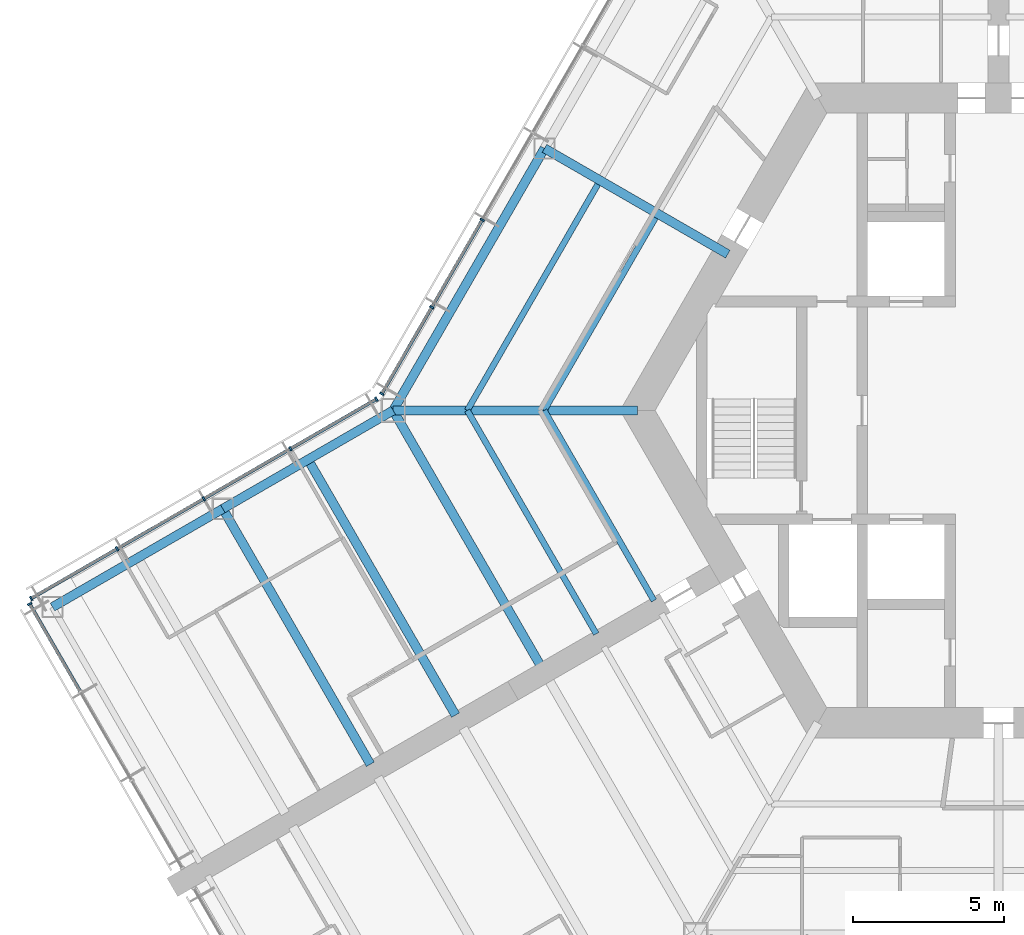
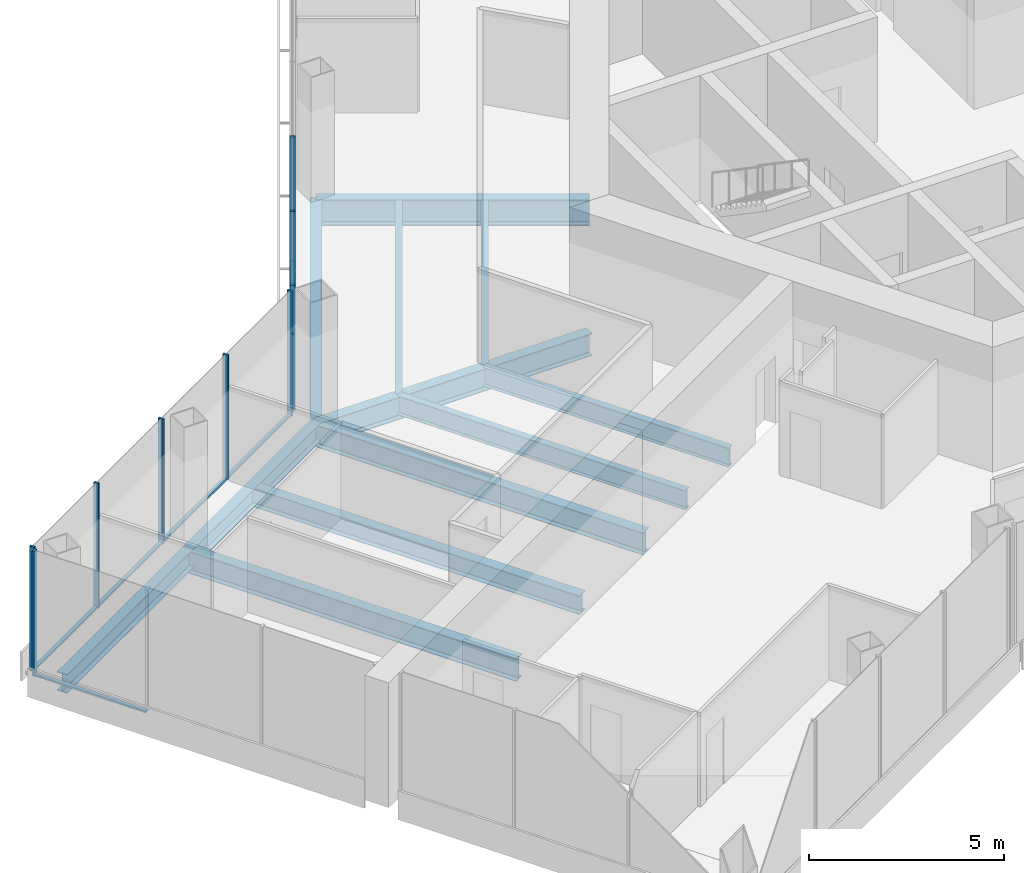
# One storey, part 4 of 18: 16 members, 12 beams, 3 elements without a shape of their own.
"""IFC4 building model written with IfcOpenShell, lengths in metres."""

from ifc_helpers import new_model, si_unit, direction, frame, origin, origin_2d, place, context, subcontext, project, spatial, rectangle, i_section, extrude, material, material_profile, profile_set, type_object, element, aggregate, save


model = new_model("IFC4")

# Units and contexts
model_context = context("Model", 3, precision=1e-05, world=origin(), true_north=direction((0.0, 1.0)))
body_context = subcontext(model_context, "Body", "Model", "MODEL_VIEW")
ifc_project = project(units=[si_unit("LENGTHUNIT", "METRE"), si_unit("AREAUNIT", "SQUARE_METRE"), si_unit("VOLUMEUNIT", "CUBIC_METRE"), si_unit("PLANEANGLEUNIT", "RADIAN"), si_unit("MASSUNIT", "GRAM", prefix="KILO")], contexts=[model_context])

# Site, building, storey
site_placement = place(None, origin())
site = spatial("IfcSite", under=ifc_project, at=site_placement, CompositionType="ELEMENT")
building_placement = place(site_placement, origin())
building = spatial("IfcBuilding", under=site, at=building_placement, Name="Kasaneha Research Tower", CompositionType="ELEMENT")
storey_placement = place(building_placement, frame((0.0, 0.0, 195.5)))
storey = spatial("IfcBuildingStorey", under=building, at=storey_placement, Name="L49", CompositionType="ELEMENT", Elevation=195.5)

# Beams
ifc_material_1 = material(Name="Steel SN490B", Category="steel")
ifc_material_profile_1 = material_profile(ifc_material_1, i_section(OverallWidth=0.199951171875, OverallDepth=0.60009765625, WebThickness=0.010986328125, FlangeThickness=0.01708984375, FilletRadius=0.012939453125, at=origin_2d()), Name="H-600x200x11x17")
ifc_profile_set_1 = profile_set([ifc_material_profile_1], Name="Steel SN490B")
beam_type_1 = type_object("IfcBeamType", Name="B1-3 secondary beam H-600x200x11x17", PredefinedType="JOIST", material=ifc_profile_set_1)
beam_1_placement = place(storey_placement, frame((-15.010986328125, 0.0, -0.449951171875), z_axis=(0.499994443168, 0.866028611999, 0.0), x_axis=(-0.866028611999, 0.499994443168, 0.0)))
element("IfcBeam", 1, at=beam_1_placement, inside=storey, type_object=beam_type_1, Name="Secondary beam RS150R1 L49", PredefinedType="JOIST", context=body_context, shape_type="SweptSolid", body=[
    extrude(i_section(OverallWidth=0.199951171875, OverallDepth=0.60009765625, WebThickness=0.010986328125, FlangeThickness=0.01708984375, FilletRadius=0.012939453125, at=origin_2d()), origin(), (0.0, 0.0, 1.0), 7.35546875),
])
beam_2_placement = place(storey_placement, frame((-17.551513671875, 0.0, -0.449951171875), z_axis=(0.5000050195, 0.866022505755, 0.0), x_axis=(-0.866022505755, 0.5000050195, 0.0)))
element("IfcBeam", 2, at=beam_2_placement, inside=storey, type_object=beam_type_1, Name="Secondary beam RS150R2 L49", PredefinedType="JOIST", context=body_context, shape_type="SweptSolid", body=[
    extrude(i_section(OverallWidth=0.199951171875, OverallDepth=0.60009765625, WebThickness=0.010986328125, FlangeThickness=0.01708984375, FilletRadius=0.012939453125, at=origin_2d()), origin(), (0.0, 0.0, 1.0), 8.6259765625),
])
beam_3_placement = place(storey_placement, frame((-15.010986328125, 0.0, -0.449951171875), z_axis=(0.499993340521, -0.866029248602, 0.0), x_axis=(0.866029248602, 0.499993340521, 0.0)))
element("IfcBeam", 3, at=beam_3_placement, inside=storey, type_object=beam_type_1, Name="Secondary beam RS210L1 L49", PredefinedType="JOIST", context=body_context, shape_type="SweptSolid", body=[
    extrude(i_section(OverallWidth=0.199951171875, OverallDepth=0.60009765625, WebThickness=0.010986328125, FlangeThickness=0.01708984375, FilletRadius=0.012939453125, at=origin_2d()), origin(), (0.0, 0.0, 1.0), 7.25537109375),
])
beam_4_placement = place(storey_placement, frame((-17.551513671875, 0.0, -0.449951171875), z_axis=(0.500004205306, -0.866022975836, 0.0), x_axis=(0.866022975836, 0.500004205306, 0.0)))
element("IfcBeam", 4, at=beam_4_placement, inside=storey, type_object=beam_type_1, Name="Secondary beam RS210L2 L49", PredefinedType="JOIST", context=body_context, shape_type="SweptSolid", body=[
    extrude(i_section(OverallWidth=0.199951171875, OverallDepth=0.60009765625, WebThickness=0.010986328125, FlangeThickness=0.01708984375, FilletRadius=0.012939453125, at=origin_2d()), origin(), (0.0, 0.0, 1.0), 8.52587890625),
])
ifc_material_2 = material(Name="Steel SN490B", Category="steel")
ifc_material_profile_2 = material_profile(ifc_material_2, i_section(OverallWidth=0.300048828125, OverallDepth=0.58203125, WebThickness=0.011962890625, FlangeThickness=0.01708984375, FilletRadius=0.012939453125, at=origin_2d()), Name="H-582x300x12x17")
ifc_profile_set_2 = profile_set([ifc_material_profile_2], Name="Steel SN490B")
beam_type_2 = type_object("IfcBeamType", Name="B2-3 secondary beam H-582x300x12x17", PredefinedType="JOIST", material=ifc_profile_set_2)
beam_5_placement = place(storey_placement, frame((-22.814697265625, -1.625, -0.44091796875), z_axis=(0.499995560238, -0.866027967067, 0.0), x_axis=(0.866027967067, 0.499995560238, 0.0)))
element("IfcBeam", 5, at=beam_5_placement, inside=storey, type_object=beam_type_2, Name="Secondary beam WBBP1 L49", PredefinedType="JOIST", context=body_context, shape_type="SweptSolid", body=[
    extrude(i_section(OverallWidth=0.300048828125, OverallDepth=0.58203125, WebThickness=0.011962890625, FlangeThickness=0.01708984375, FilletRadius=0.012939453125, at=origin_2d()), origin(), (0.0, 0.0, 1.0), 9.75),
])

# Curtain wall, members
ifc_material_3 = material(Name="Glass and aluminium", Category="aluminium")
curtain_wall_type = type_object("IfcCurtainWallType", Name="Mid-rise office curtain wall", PredefinedType="USERDEFINED", material=ifc_material_3)
curtain_wall_1_placement = place(storey_placement, origin())
curtain_wall_1 = element("IfcCurtainWall", 6, at=curtain_wall_1_placement, inside=storey, type_object=curtain_wall_type, Name="CW-O2 L49 run 08a", ObjectType="UNITISED CURTAIN WALL", PredefinedType="USERDEFINED")
ifc_material_4 = material(Name="Aluminium 6063-T6", Category="aluminium")
ifc_material_profile_3 = material_profile(ifc_material_4, rectangle(XDim=0.06005859375, YDim=0.14990234375, at=origin_2d()), Name="CW-O2 mullion 60x150")
ifc_profile_set_3 = profile_set([ifc_material_profile_3], Name="Aluminium 6063-T6")
member_type_1 = type_object("IfcMemberType", Name="CW-O2 mullion", PredefinedType="MULLION", material=ifc_profile_set_3)
member_1_placement = place(storey_placement, frame((-17.058349609375, 6.295166015625, 0.0), z_axis=(0.0, 0.0, 1.0), x_axis=(-0.499999979232, -0.866025415775, 0.0)))
member_1 = element("IfcMember", 7, at=member_1_placement, type_object=member_type_1, Name="CW-O2 mullion 5", PredefinedType="MULLION", context=body_context, shape_type="SweptSolid", body=[
    extrude(rectangle(XDim=0.06005859375, YDim=0.14990234375, at=origin_2d()), origin(), (0.0, 0.0, 1.0), 3.89990234375),
])
member_2_placement = place(storey_placement, frame((-18.723876953125, 3.410400390625, 0.0), z_axis=(0.0, 0.0, 1.0), x_axis=(-0.499999979232, -0.866025415775, 0.0)))
member_2 = element("IfcMember", 8, at=member_2_placement, type_object=member_type_1, Name="CW-O2 mullion 6", PredefinedType="MULLION", context=body_context, shape_type="SweptSolid", body=[
    extrude(rectangle(XDim=0.06005859375, YDim=0.14990234375, at=origin_2d()), origin(), (0.0, 0.0, 1.0), 3.89990234375),
])
member_3_placement = place(storey_placement, frame((-20.374267578125, 0.5517578125, 0.0), z_axis=(0.0, 0.0, 1.0), x_axis=(-0.499999979232, -0.866025415775, 0.0)))
member_3 = element("IfcMember", 9, at=member_3_placement, type_object=member_type_1, Name="CW-O2 mullion 7", PredefinedType="MULLION", context=body_context, shape_type="SweptSolid", body=[
    extrude(rectangle(XDim=0.06005859375, YDim=0.14990234375, at=origin_2d()), origin(), (0.0, 0.0, 1.0), 3.89990234375),
])

curtain_wall_2_placement = place(storey_placement, origin())
curtain_wall_2 = element("IfcCurtainWall", 10, at=curtain_wall_2_placement, inside=storey, type_object=curtain_wall_type, Name="CW-O2 L49 run 09a", ObjectType="UNITISED CURTAIN WALL", PredefinedType="USERDEFINED")
member_4_placement = place(storey_placement, frame((-20.5517578125, 0.374267578125, 0.0), z_axis=(0.0, 0.0, 1.0), x_axis=(-0.866025411464, -0.499999986699, 0.0)))
member_4 = element("IfcMember", 11, at=member_4_placement, type_object=member_type_1, Name="CW-O2 mullion 1", PredefinedType="MULLION", context=body_context, shape_type="SweptSolid", body=[
    extrude(rectangle(XDim=0.06005859375, YDim=0.14990234375, at=origin_2d()), origin(), (0.0, 0.0, 1.0), 3.89990234375),
])
member_5_placement = place(storey_placement, frame((-23.39208984375, -1.265625, 0.0), z_axis=(0.0, 0.0, 1.0), x_axis=(-0.866025411464, -0.499999986699, 0.0)))
member_5 = element("IfcMember", 12, at=member_5_placement, type_object=member_type_1, Name="CW-O2 mullion 2", PredefinedType="MULLION", context=body_context, shape_type="SweptSolid", body=[
    extrude(rectangle(XDim=0.06005859375, YDim=0.14990234375, at=origin_2d()), origin(), (0.0, 0.0, 1.0), 3.89990234375),
])
member_6_placement = place(storey_placement, frame((-26.258544921875, -2.920654296875, 0.0), z_axis=(0.0, 0.0, 1.0), x_axis=(-0.866025411464, -0.499999986699, 0.0)))
member_6 = element("IfcMember", 13, at=member_6_placement, type_object=member_type_1, Name="CW-O2 mullion 3", PredefinedType="MULLION", context=body_context, shape_type="SweptSolid", body=[
    extrude(rectangle(XDim=0.06005859375, YDim=0.14990234375, at=origin_2d()), origin(), (0.0, 0.0, 1.0), 3.89990234375),
])
member_7_placement = place(storey_placement, frame((-29.125, -4.575439453125, 0.0), z_axis=(0.0, 0.0, 1.0), x_axis=(-0.866025411464, -0.499999986699, 0.0)))
member_7 = element("IfcMember", 14, at=member_7_placement, type_object=member_type_1, Name="CW-O2 mullion 4", PredefinedType="MULLION", context=body_context, shape_type="SweptSolid", body=[
    extrude(rectangle(XDim=0.06005859375, YDim=0.14990234375, at=origin_2d()), origin(), (0.0, 0.0, 1.0), 3.89990234375),
])
member_8_placement = place(storey_placement, frame((-31.96533203125, -6.21533203125, 0.0), z_axis=(0.0, 0.0, 1.0), x_axis=(-0.866025411464, -0.499999986699, 0.0)))
member_8 = element("IfcMember", 15, at=member_8_placement, type_object=member_type_1, Name="CW-O2 mullion 5", PredefinedType="MULLION", context=body_context, shape_type="SweptSolid", body=[
    extrude(rectangle(XDim=0.06005859375, YDim=0.14990234375, at=origin_2d()), origin(), (0.0, 0.0, 1.0), 3.89990234375),
])

# Curtain wall, member
curtain_wall_3_placement = place(storey_placement, origin())
curtain_wall_3 = element("IfcCurtainWall", 16, at=curtain_wall_3_placement, inside=storey, type_object=curtain_wall_type, Name="CW-O2 L49 run 10a", ObjectType="UNITISED CURTAIN WALL", PredefinedType="USERDEFINED")
member_9_placement = place(storey_placement, frame((-32.012939453125, -6.39306640625, 0.0), z_axis=(0.0, 0.0, 1.0), x_axis=(0.500000011442, -0.866025397178, 0.0)))
member_9 = element("IfcMember", 17, at=member_9_placement, type_object=member_type_1, Name="CW-O2 mullion 1", PredefinedType="MULLION", context=body_context, shape_type="SweptSolid", body=[
    extrude(rectangle(XDim=0.06005859375, YDim=0.14990234375, at=origin_2d()), origin(), (0.0, 0.0, 1.0), 3.89990234375),
])

# Member
ifc_material_5 = material(Name="Aluminium 6063-T6", Category="aluminium")
ifc_material_profile_4 = material_profile(ifc_material_5, rectangle(XDim=0.110107421875, YDim=0.06005859375, at=origin_2d()), Name="CW-O2 transom 110x60")
ifc_profile_set_4 = profile_set([ifc_material_profile_4], Name="Aluminium 6063-T6")
member_type_2 = type_object("IfcMemberType", Name="CW-O2 transom", PredefinedType="USERDEFINED", material=ifc_profile_set_4)
member_10_placement = place(storey_placement, frame((-17.0732421875, 6.269287109375, 0.030029296875), z_axis=(-0.500000270186, -0.866025247793, 0.0), x_axis=(0.866025247793, -0.500000270186, 0.0)))
member_10 = element("IfcMember", 18, at=member_10_placement, type_object=member_type_2, Name="CW-O2 transom 5", ObjectType="TRANSOM", PredefinedType="USERDEFINED", context=body_context, shape_type="SweptSolid", body=[
    extrude(rectangle(XDim=0.110107421875, YDim=0.06005859375, at=origin_2d()), origin(), (0.0, 0.0, 1.0), 3.27099609375),
])

member_11_placement = place(storey_placement, frame((-18.73876953125, 3.384521484375, 0.030029296875), z_axis=(-0.499987643696, -0.866032537582, 0.0), x_axis=(0.866032537582, -0.499987643696, 0.0)))
member_11 = element("IfcMember", 19, at=member_11_placement, type_object=member_type_2, Name="CW-O2 transom 6", ObjectType="TRANSOM", PredefinedType="USERDEFINED", context=body_context, shape_type="SweptSolid", body=[
    extrude(rectangle(XDim=0.110107421875, YDim=0.06005859375, at=origin_2d()), origin(), (0.0, 0.0, 1.0), 3.24072265625),
])

aggregate(curtain_wall_1, [member_1, member_2, member_3, member_10, member_11])

member_12_placement = place(storey_placement, frame((-20.577880859375, 0.359130859375, 0.030029296875), z_axis=(-0.866022692473, -0.500004696101, 0.0), x_axis=(0.500004696101, -0.866022692473, 0.0)))
member_12 = element("IfcMember", 20, at=member_12_placement, type_object=member_type_2, Name="CW-O2 transom 1", ObjectType="TRANSOM", PredefinedType="USERDEFINED", context=body_context, shape_type="SweptSolid", body=[
    extrude(rectangle(XDim=0.110107421875, YDim=0.06005859375, at=origin_2d()), origin(), (0.0, 0.0, 1.0), 3.2197265625),
])

member_13_placement = place(storey_placement, frame((-23.418212890625, -1.28076171875, 0.030029296875), z_axis=(-0.86604797581, -0.499960902066, 0.0), x_axis=(0.499960902066, -0.86604797581, 0.0)))
member_13 = element("IfcMember", 21, at=member_13_placement, type_object=member_type_2, Name="CW-O2 transom 2", ObjectType="TRANSOM", PredefinedType="USERDEFINED", context=body_context, shape_type="SweptSolid", body=[
    extrude(rectangle(XDim=0.110107421875, YDim=0.06005859375, at=origin_2d()), origin(), (0.0, 0.0, 1.0), 3.249755859375),
])

member_14_placement = place(storey_placement, frame((-26.28466796875, -2.935546875, 0.030029296875), z_axis=(-0.86599666273, -0.500049777664, 0.0), x_axis=(0.500049777664, -0.86599666273, 0.0)))
member_14 = element("IfcMember", 22, at=member_14_placement, type_object=member_type_2, Name="CW-O2 transom 3", ObjectType="TRANSOM", PredefinedType="USERDEFINED", context=body_context, shape_type="SweptSolid", body=[
    extrude(rectangle(XDim=0.110107421875, YDim=0.06005859375, at=origin_2d()), origin(), (0.0, 0.0, 1.0), 3.249755859375),
])

member_15_placement = place(storey_placement, frame((-29.15087890625, -4.590576171875, 0.030029296875), z_axis=(-0.866041647767, -0.499971863542, 0.0), x_axis=(0.499971863542, -0.866041647767, 0.0)))
member_15 = element("IfcMember", 23, at=member_15_placement, type_object=member_type_2, Name="CW-O2 transom 4", ObjectType="TRANSOM", PredefinedType="USERDEFINED", context=body_context, shape_type="SweptSolid", body=[
    extrude(rectangle(XDim=0.110107421875, YDim=0.06005859375, at=origin_2d()), origin(), (0.0, 0.0, 1.0), 3.219970703125),
])

aggregate(curtain_wall_2, [member_4, member_5, member_6, member_7, member_8, member_12, member_13, member_14, member_15])

member_16_placement = place(storey_placement, frame((-31.998046875, -6.4189453125, 0.030029296875), z_axis=(0.500021914551, -0.866012751043, 0.0), x_axis=(0.866012751043, 0.500021914551, 0.0)))
member_16 = element("IfcMember", 24, at=member_16_placement, type_object=member_type_2, Name="CW-O2 transom 1", ObjectType="TRANSOM", PredefinedType="USERDEFINED", context=body_context, shape_type="SweptSolid", body=[
    extrude(rectangle(XDim=0.110107421875, YDim=0.06005859375, at=origin_2d()), origin(), (0.0, 0.0, 1.0), 3.293212890625),
])

aggregate(curtain_wall_3, [member_9, member_16])

# Beams
ifc_material_6 = material(Name="Steel SN490B", Category="steel")
ifc_material_profile_5 = material_profile(ifc_material_6, i_section(OverallWidth=0.300048828125, OverallDepth=0.699951171875, WebThickness=0.012939453125, FlangeThickness=0.02392578125, FilletRadius=0.01806640625, at=origin_2d()), Name="H-700x300x13x24")
ifc_profile_set_5 = profile_set([ifc_material_profile_5], Name="Steel SN490B")
beam_type_3 = type_object("IfcBeamType", Name="G1-3 radial girder H-700x300x13x24", PredefinedType="BEAM", material=ifc_profile_set_5)
beam_6_placement = place(storey_placement, frame((-11.92236328125, 0.0, -0.5), z_axis=(-1.0, 0.0, 0.0), x_axis=(0.0, -1.0, 0.0)))
element("IfcBeam", 25, at=beam_6_placement, inside=storey, type_object=beam_type_3, Name="Radial girder RV180 L49", PredefinedType="BEAM", context=body_context, shape_type="SweptSolid", body=[
    extrude(i_section(OverallWidth=0.300048828125, OverallDepth=0.699951171875, WebThickness=0.012939453125, FlangeThickness=0.02392578125, FilletRadius=0.01806640625, at=origin_2d()), origin(), (0.0, 0.0, 1.0), 8.07763671875),
])
ifc_material_7 = material(Name="Steel SN490B", Category="steel")
ifc_material_profile_6 = material_profile(ifc_material_7, i_section(OverallWidth=0.300048828125, OverallDepth=0.800048828125, WebThickness=0.013916015625, FlangeThickness=0.02587890625, FilletRadius=0.01806640625, at=origin_2d()), Name="H-800x300x14x26")
ifc_profile_set_6 = profile_set([ifc_material_profile_6], Name="Steel SN490B")
beam_type_4 = type_object("IfcBeamType", Name="G2-3 radial girder H-800x300x14x26", PredefinedType="BEAM", material=ifc_profile_set_6)
beam_7_placement = place(storey_placement, frame((-8.941650390625, 5.16259765625, -0.550048828125), z_axis=(-0.866039713508, 0.499975214012, 0.0), x_axis=(-0.499975214012, -0.866039713508, 0.0)))
element("IfcBeam", 26, at=beam_7_placement, inside=storey, type_object=beam_type_4, Name="Radial girder RM150 L49", PredefinedType="BEAM", context=body_context, shape_type="SweptSolid", body=[
    extrude(i_section(OverallWidth=0.300048828125, OverallDepth=0.800048828125, WebThickness=0.013916015625, FlangeThickness=0.02587890625, FilletRadius=0.01806640625, at=origin_2d()), origin(), (0.0, 0.0, 1.0), 6.995361328125),
])
ifc_material_8 = material(Name="Steel SN490B", Category="steel")
ifc_material_profile_7 = material_profile(ifc_material_8, i_section(OverallWidth=0.300048828125, OverallDepth=0.69189453125, WebThickness=0.012939453125, FlangeThickness=0.02001953125, FilletRadius=0.01806640625, at=origin_2d()), Name="H-692x300x13x20")
ifc_profile_set_7 = profile_set([ifc_material_profile_7], Name="Steel SN490B")
beam_type_5 = type_object("IfcBeamType", Name="G3-3 plate edge girder H-692x300x13x20", PredefinedType="BEAM", material=ifc_profile_set_7)
beam_8_placement = place(storey_placement, frame((-20.0, 0.0, -0.49609375), z_axis=(0.499995560238, -0.866027967067, 0.0), x_axis=(0.866027967067, 0.499995560238, 0.0)))
element("IfcBeam", 27, at=beam_8_placement, inside=storey, type_object=beam_type_5, Name="Plate edge girder PEBP L49", PredefinedType="BEAM", context=body_context, shape_type="SweptSolid", body=[
    extrude(i_section(OverallWidth=0.300048828125, OverallDepth=0.69189453125, WebThickness=0.012939453125, FlangeThickness=0.02001953125, FilletRadius=0.01806640625, at=origin_2d()), origin(), (0.0, 0.0, 1.0), 9.75),
])
ifc_material_9 = material(Name="Steel SN490B", Category="steel")
ifc_material_profile_8 = material_profile(ifc_material_9, i_section(OverallWidth=0.300048828125, OverallDepth=0.699951171875, WebThickness=0.012939453125, FlangeThickness=0.02392578125, FilletRadius=0.01806640625, at=origin_2d()), Name="H-700x300x13x24")
ifc_profile_set_8 = profile_set([ifc_material_profile_8], Name="Steel SN490B")
beam_type_6 = type_object("IfcBeamType", Name="G4-3 wing girder H-700x300x13x24", PredefinedType="BEAM", material=ifc_profile_set_8)
beam_9_placement = place(storey_placement, frame((-25.629150390625, -3.25, -0.5), z_axis=(0.499995560238, -0.866027967067, 0.0), x_axis=(0.866027967067, 0.499995560238, 0.0)))
element("IfcBeam", 28, at=beam_9_placement, inside=storey, type_object=beam_type_6, Name="Wing girder WGBP L49", PredefinedType="BEAM", context=body_context, shape_type="SweptSolid", body=[
    extrude(i_section(OverallWidth=0.300048828125, OverallDepth=0.699951171875, WebThickness=0.012939453125, FlangeThickness=0.02392578125, FilletRadius=0.01806640625, at=origin_2d()), origin(), (0.0, 0.0, 1.0), 9.75),
])
ifc_material_10 = material(Name="Steel SN490B", Category="steel")
ifc_material_profile_9 = material_profile(ifc_material_10, i_section(OverallWidth=0.300048828125, OverallDepth=0.69189453125, WebThickness=0.012939453125, FlangeThickness=0.02001953125, FilletRadius=0.01806640625, at=origin_2d()), Name="H-692x300x13x20")
ifc_profile_set_9 = profile_set([ifc_material_profile_9], Name="Steel SN490B")
beam_type_7 = type_object("IfcBeamType", Name="SB1-3 spandrel beam H-692x300x13x20", PredefinedType="SPANDREL", material=ifc_profile_set_9)
beam_10_placement = place(storey_placement, frame((-20.0, 0.0, -0.49609375), z_axis=(0.500004234368, 0.866022959057, 0.0), x_axis=(-0.866022959057, 0.500004234368, 0.0)))
element("IfcBeam", 29, at=beam_10_placement, inside=storey, type_object=beam_type_7, Name="Spandrel beam SR150R L49", PredefinedType="SPANDREL", context=body_context, shape_type="SweptSolid", body=[
    extrude(i_section(OverallWidth=0.300048828125, OverallDepth=0.69189453125, WebThickness=0.012939453125, FlangeThickness=0.02001953125, FilletRadius=0.01806640625, at=origin_2d()), origin(), (0.0, 0.0, 1.0), 10.0),
])
ifc_material_11 = material(Name="Steel SN490B", Category="steel")
ifc_material_profile_10 = material_profile(ifc_material_11, i_section(OverallWidth=0.300048828125, OverallDepth=0.58203125, WebThickness=0.011962890625, FlangeThickness=0.01708984375, FilletRadius=0.012939453125, at=origin_2d()), Name="H-582x300x12x17")
ifc_profile_set_10 = profile_set([ifc_material_profile_10], Name="Steel SN490B")
beam_type_8 = type_object("IfcBeamType", Name="SB2-3 spandrel beam H-582x300x12x17", PredefinedType="SPANDREL", material=ifc_profile_set_10)
for number, where, z_axis, x_axis, name in (
    (30, (-20.0, 0.0, -0.44091796875), (-0.866024837091, -0.50000098154, 0.0), (0.50000098154, -0.866024837091, 0.0), "Spandrel beam WSBP1 L49"),
    (31, (-25.629150390625, -3.25, -0.44091796875), (-0.866024837091, -0.50000098154, 0.0), (0.50000098154, -0.866024837091, 0.0), "Spandrel beam WSBP2 L49"),
):
    element("IfcBeam", number, at=place(storey_placement, frame(where, z_axis=z_axis, x_axis=x_axis)), inside=storey, type_object=beam_type_8, Name=name, PredefinedType="SPANDREL", context=body_context, shape_type="SweptSolid", body=[
        extrude(i_section(OverallWidth=0.300048828125, OverallDepth=0.58203125, WebThickness=0.011962890625, FlangeThickness=0.01708984375, FilletRadius=0.012939453125, at=origin_2d()), origin(), (0.0, 0.0, 1.0), 6.5),
    ])

save(model, "model.ifc")
